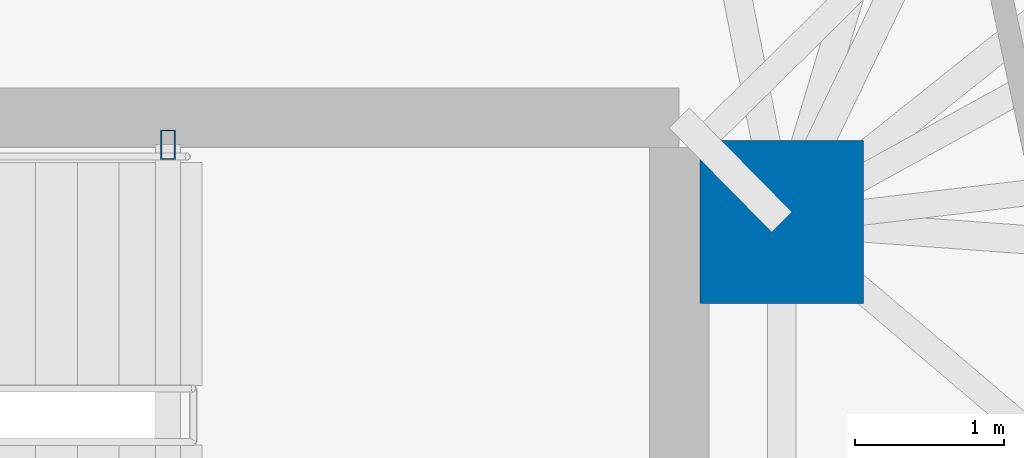
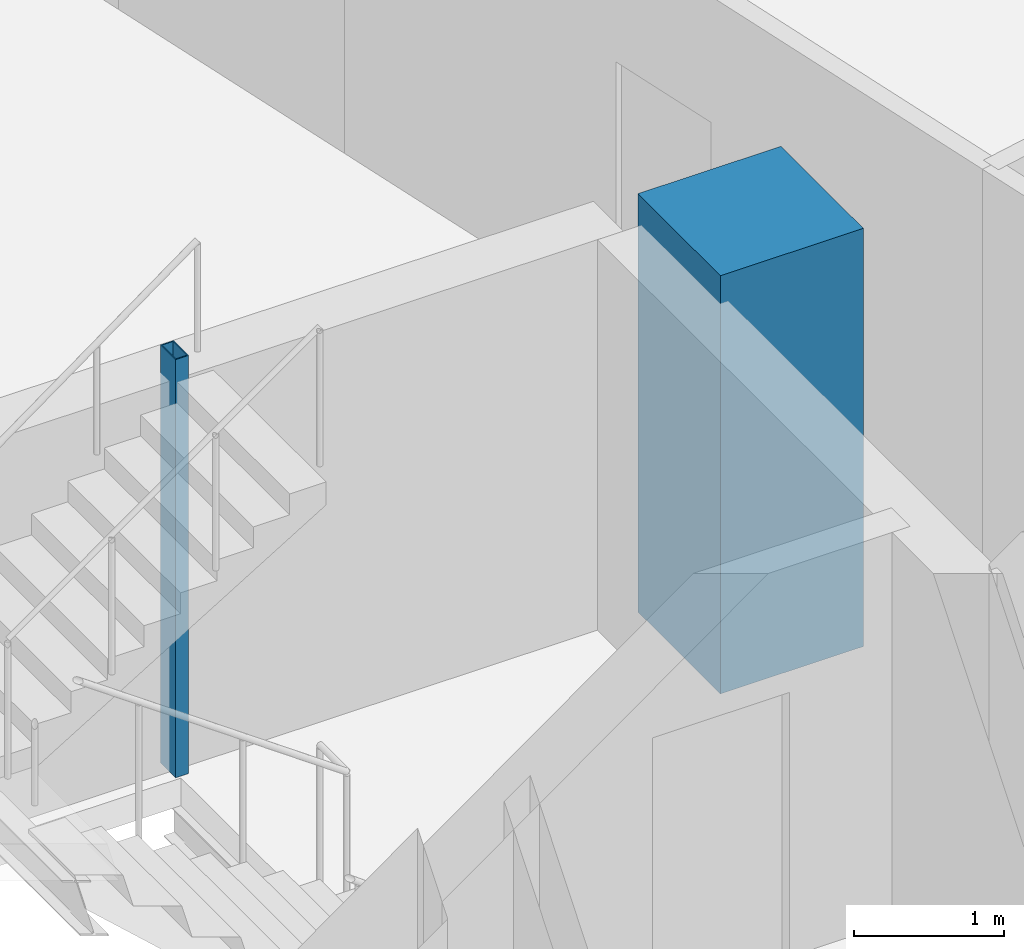
# One storey, part 4 of 20: 2 columns.
"""IFC4 building model written with IfcOpenShell, lengths in metres."""

import ifcopenshell
import ifcopenshell.guid

model = None  # the IFC model being written
_history = None  # IfcOwnerHistory: only IFC2X3 demands one
_inside = {}  # id of a spatial element -> (the spatial element, [elements in it])
_under = {}  # id of a project, library or spatial element -> (it, [spatial elements below it])
_declared = {}  # id of a project -> (the project, [libraries it declares])
_typed = {}  # id of a type object -> (the type object, [elements of that type])
_made_of = {}  # id of a material, layer set ... -> (it, [elements and type objects made of it])


def new_model(schema):
    """Start an empty IFC model of exactly this schema.

    Asked for "IFC4X3", IfcOpenShell would pick the latest addendum, in which some entities
    have other attributes; the version numbers below select the first issue.
    IFC2X3 requires an IfcOwnerHistory on every rooted entity: one is made here for all.
    """
    global model, _history
    if schema == "IFC4X3":
        model = ifcopenshell.file(schema_version=(4, 3, 0, 0))
    else:
        model = ifcopenshell.file(schema=schema)
    _inside.clear()
    _under.clear()
    _declared.clear()
    _typed.clear()
    _made_of.clear()
    _history = None
    if model.schema == "IFC2X3":
        org = make("IfcOrganization", Name="unknown")
        user = make(
            "IfcPersonAndOrganization",
            ThePerson=make("IfcPerson", FamilyName="unknown"),
            TheOrganization=org,
        )
        app = make(
            "IfcApplication",
            ApplicationDeveloper=org,
            Version="unknown",
            ApplicationFullName="unknown",
            ApplicationIdentifier="unknown",
        )
        _history = make(
            "IfcOwnerHistory",
            OwningUser=user,
            OwningApplication=app,
            ChangeAction="ADDED",
            CreationDate=0,
        )
    return model


def make(cls, **values):
    """One entity of the class cls with the attributes given. An attribute that is None is left unset."""
    return model.create_entity(
        cls, **{name: value for name, value in values.items() if value is not None}
    )


def rooted(cls, **values):
    """An entity with a GlobalId (a new one), such as an element, a storey or a relation."""
    return make(cls, GlobalId=ifcopenshell.guid.new(), OwnerHistory=_history, **values)


def si_unit(unit_type, name, prefix=None):
    """IfcSIUnit, for example si_unit("LENGTHUNIT", "METRE", prefix="MILLI")."""
    return make("IfcSIUnit", UnitType=unit_type, Prefix=prefix, Name=name)


def assignment(units):
    """IfcUnitAssignment: the units of a project."""
    return None if units is None else make("IfcUnitAssignment", Units=units)


def point(xyz):
    """IfcCartesianPoint."""
    return None if xyz is None else make("IfcCartesianPoint", Coordinates=xyz)


def direction(xyz):
    """IfcDirection."""
    return None if xyz is None else make("IfcDirection", DirectionRatios=xyz)


def frame(location, z_axis=None, x_axis=None):
    """IfcAxis2Placement3D, a coordinate frame: its origin and axes. An axis left out is left unset."""
    return make(
        "IfcAxis2Placement3D",
        Location=point(location),
        Axis=direction(z_axis),
        RefDirection=direction(x_axis),
    )


def frame_2d(location, x_axis=None):
    """IfcAxis2Placement2D, a coordinate frame in the plane: its origin and x axis."""
    return make(
        "IfcAxis2Placement2D", Location=point(location), RefDirection=direction(x_axis)
    )


def origin():
    """The frame at (0, 0, 0) with its axes left unset."""
    return frame((0.0, 0.0, 0.0))


def origin_2d():
    """The frame at (0, 0) in the plane with its x axis left unset."""
    return frame_2d((0.0, 0.0))


def place(relative_to, where):
    """IfcLocalPlacement: puts the frame where relative to a parent placement (None: the world)."""
    return make(
        "IfcLocalPlacement", PlacementRelTo=relative_to, RelativePlacement=where
    )


def context(
    kind, dimensions, precision=None, world=None, true_north=None, identifier=None
):
    """IfcGeometricRepresentationContext, for example the 3D "Model" context."""
    return make(
        "IfcGeometricRepresentationContext",
        ContextIdentifier=identifier,
        ContextType=kind,
        CoordinateSpaceDimension=dimensions,
        Precision=precision,
        WorldCoordinateSystem=world,
        TrueNorth=true_north,
    )


def subcontext(parent, identifier, kind, view, scale=None):
    """IfcGeometricRepresentationSubContext, for example "Body" below "Model"."""
    return make(
        "IfcGeometricRepresentationSubContext",
        ContextIdentifier=identifier,
        ContextType=kind,
        ParentContext=parent,
        TargetScale=scale,
        TargetView=view,
    )


def project(units=None, contexts=None):
    """IfcProject with its units and contexts."""
    return rooted(
        "IfcProject",
        Name="project",
        RepresentationContexts=contexts,
        UnitsInContext=assignment(units),
    )


def spatial(cls, under=None, at=None, **own):
    """A site, building, storey or space (cls), placed at a placement, below another one or the project."""
    s = rooted(cls, ObjectPlacement=at, **own)
    if under is not None:
        _under.setdefault(under.id(), (under, []))[1].append(s)
    return s


def profile(cls, at=None, kind="AREA", **sizes):
    """A parametric profile (cls). Its sizes go by their IFC names, for example OverallWidth=200.0."""
    return make(cls, ProfileType=kind, Position=at, **sizes)


def rectangle(**sizes):
    """IfcRectangleProfileDef."""
    return profile("IfcRectangleProfileDef", **sizes)


def hollow_rectangle(**sizes):
    """IfcRectangleHollowProfileDef."""
    return profile("IfcRectangleHollowProfileDef", **sizes)


def extrude(swept, where, along, depth):
    """IfcExtrudedAreaSolid: the profile swept, set in the frame where, extruded along a direction by depth."""
    return make(
        "IfcExtrudedAreaSolid",
        SweptArea=swept,
        Position=where,
        ExtrudedDirection=direction(along),
        Depth=depth,
    )


def shape(context_of_items, identifier, shape_type, items):
    """IfcShapeRepresentation: the items that make up one representation, for example the "Body"."""
    return make(
        "IfcShapeRepresentation",
        ContextOfItems=context_of_items,
        RepresentationIdentifier=identifier,
        RepresentationType=shape_type,
        Items=items,
    )


def material(Name=None, Category=None):
    """IfcMaterial."""
    return make("IfcMaterial", Name=Name, Category=Category)


def material_profile(
    of_material, cross_section, Name=None, Category=None, Priority=None
):
    """IfcMaterialProfile: a cross section and its material."""
    return make(
        "IfcMaterialProfile",
        Name=Name,
        Material=of_material,
        Profile=cross_section,
        Priority=Priority,
        Category=Category,
    )


def profile_set(profiles, Name=None, composite=None):
    """IfcMaterialProfileSet."""
    return make(
        "IfcMaterialProfileSet",
        Name=Name,
        MaterialProfiles=profiles,
        CompositeProfile=composite,
    )


def made_of(thing, what):
    """Note that an element or type object is made of a material, layer set ...; save() writes the relation."""
    if what is not None:
        _made_of.setdefault(what.id(), (what, []))[1].append(thing)
    return thing


def type_object(cls, material=None, **own):
    """A type object (cls), such as IfcWallType, which elements share."""
    return made_of(rooted(cls, **own), material)


def element(
    cls,
    number,
    at=None,
    inside=None,
    cuts=None,
    type_object=None,
    material=None,
    context=None,
    identifier="Body",
    shape_type=None,
    held_by="IfcProductDefinitionShape",
    body=None,
    shapes=None,
    **own,
):
    """One element of the class cls, such as IfcWall. Its Tag is "e" and its number.

    at: its placement. inside: the storey or other place that contains it. cuts: it is an
    opening in that element (IfcRelVoidsElement). A single representation is given by context,
    identifier, shape_type and body (its items); several are given by shapes. held_by: the class
    of the entity that holds the representations. save() writes the other relations.
    """
    e = rooted(cls, Tag="e%d" % number, ObjectPlacement=at, **own)
    if body is not None:
        shapes = [shape(context, identifier, shape_type, body)]
    if shapes is not None:
        e.Representation = make(held_by, Representations=shapes)
    if inside is not None:
        _inside.setdefault(inside.id(), (inside, []))[1].append(e)
    if cuts is not None:
        rooted(
            "IfcRelVoidsElement", RelatingBuildingElement=cuts, RelatedOpeningElement=e
        )
    if type_object is not None:
        _typed.setdefault(type_object.id(), (type_object, []))[1].append(e)
    return made_of(e, material)


def aggregate(whole, parts):
    """IfcRelAggregates: a whole, such as a stair, and the parts it consists of."""
    return rooted("IfcRelAggregates", RelatingObject=whole, RelatedObjects=parts)


def save(model, path):
    """Write the relations noted so far, then the file.

    IfcRelAggregates (storeys below a building ...), IfcRelContainedInSpatialStructure (elements
    in a storey), IfcRelDefinesByType, IfcRelAssociatesMaterial and IfcRelDeclares: one each for
    every whole, place, type object, material and project.
    """
    for whole, parts in _under.values():
        aggregate(whole, parts)
    for where, things in _inside.values():
        rooted(
            "IfcRelContainedInSpatialStructure",
            RelatedElements=things,
            RelatingStructure=where,
        )
    for kind, things in _typed.values():
        rooted("IfcRelDefinesByType", RelatedObjects=things, RelatingType=kind)
    for what, things in _made_of.values():
        rooted("IfcRelAssociatesMaterial", RelatedObjects=things, RelatingMaterial=what)
    for by, libraries in _declared.values():
        rooted("IfcRelDeclares", RelatingContext=by, RelatedDefinitions=libraries)
    model.write(path)


model = new_model("IFC4")

# Units and contexts
model_context = context("Model", 3, precision=1e-05, world=origin(), true_north=direction((0.0, 1.0)))
body_context = subcontext(model_context, "Body", "Model", "MODEL_VIEW")
ifc_project = project(units=[si_unit("LENGTHUNIT", "METRE"), si_unit("AREAUNIT", "SQUARE_METRE"), si_unit("VOLUMEUNIT", "CUBIC_METRE"), si_unit("PLANEANGLEUNIT", "RADIAN"), si_unit("MASSUNIT", "GRAM", prefix="KILO")], contexts=[model_context])

# Site, building, storey
site_placement = place(None, origin())
site = spatial("IfcSite", under=ifc_project, at=site_placement, CompositionType="ELEMENT")
building_placement = place(site_placement, origin())
building = spatial("IfcBuilding", under=site, at=building_placement, Name="Menara Jurai Vektor", CompositionType="ELEMENT")
storey_placement = place(building_placement, frame((0.0, 0.0, 158.199951171875)))
storey = spatial("IfcBuildingStorey", under=building, at=storey_placement, Name="L40", CompositionType="ELEMENT", Elevation=158.199951171875)

# Columns
ifc_material_1 = material(Name="Concrete C50/60", Category="concrete")
ifc_material_profile_1 = material_profile(ifc_material_1, rectangle(XDim=1.10009765625, YDim=1.10009765625, at=origin_2d()), Name="RC 1100x1100")
ifc_profile_set_1 = profile_set([ifc_material_profile_1], Name="Concrete C50/60")
column_type_1 = type_object("IfcColumnType", Name="STR-COL-RC1100", PredefinedType="COLUMN", material=ifc_profile_set_1)
column_1_placement = place(storey_placement, frame((15.25, 4.89990234375, 0.0), z_axis=(0.0, 0.0, 1.0), x_axis=(1.0, 0.0, 0.0)))
element("IfcColumn", 1, at=column_1_placement, inside=storey, type_object=column_type_1, Name="Core Spine Column CE-NE L40", PredefinedType="COLUMN", context=body_context, shape_type="SweptSolid", body=[
    extrude(rectangle(XDim=1.10009765625, YDim=1.10009765625, at=origin_2d()), origin(), (0.0, 0.0, 1.0), 3.400146484375),
])
ifc_material_2 = material(Name="Steel S355", Category="steel")
ifc_material_profile_2 = material_profile(ifc_material_2, hollow_rectangle(XDim=0.10009765625, YDim=0.199951171875, WallThickness=0.008056640625, at=origin_2d()), Name="RHS 200x100x8")
ifc_profile_set_2 = profile_set([ifc_material_profile_2], Name="Steel S355")
column_type_2 = type_object("IfcColumnType", Name="STR-COL-STAIR", PredefinedType="COLUMN", material=ifc_profile_set_2)
column_2_placement = place(storey_placement, frame((11.1201171875, 5.419921875, 0.0), z_axis=(0.0, 0.0, 1.0), x_axis=(1.0, 0.0, 0.0)))
element("IfcColumn", 2, at=column_2_placement, inside=storey, type_object=column_type_2, Name="Stair Well Header Column ST2-P2 L40", PredefinedType="COLUMN", context=body_context, shape_type="SweptSolid", body=[
    extrude(hollow_rectangle(XDim=0.10009765625, YDim=0.199951171875, WallThickness=0.008056640625, at=origin_2d()), origin(), (0.0, 0.0, 1.0), 3.400146484375),
])

save(model, "model.ifc")
